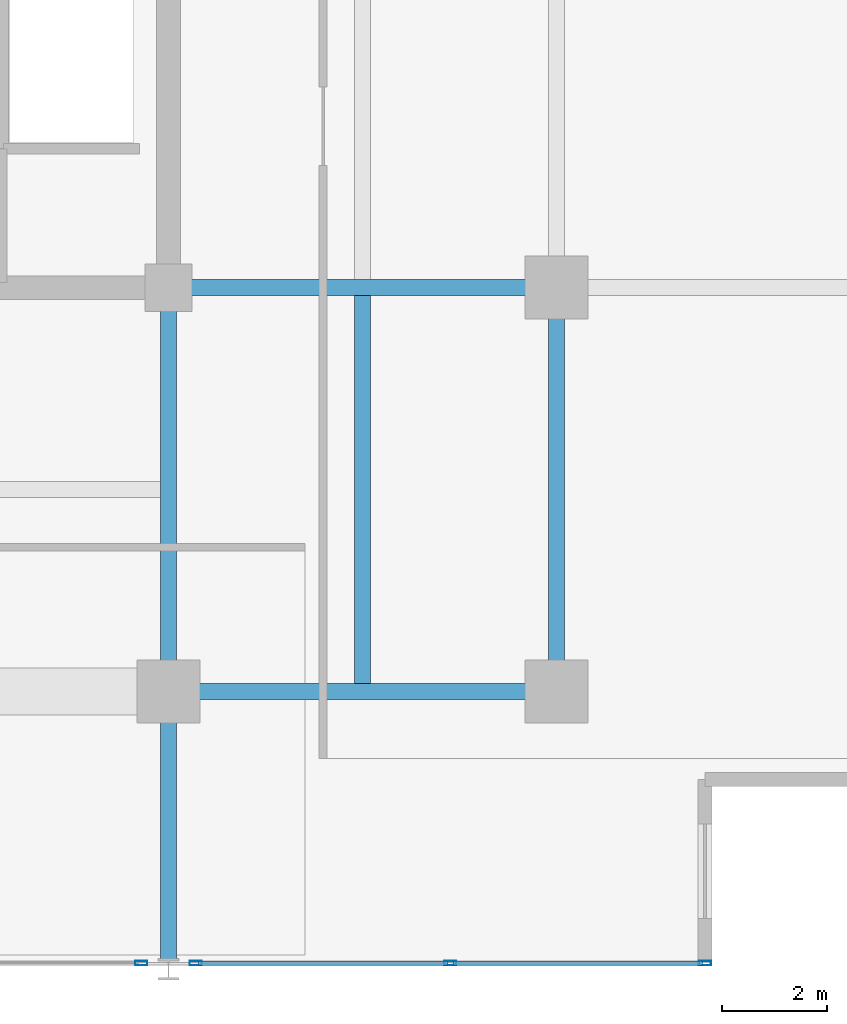
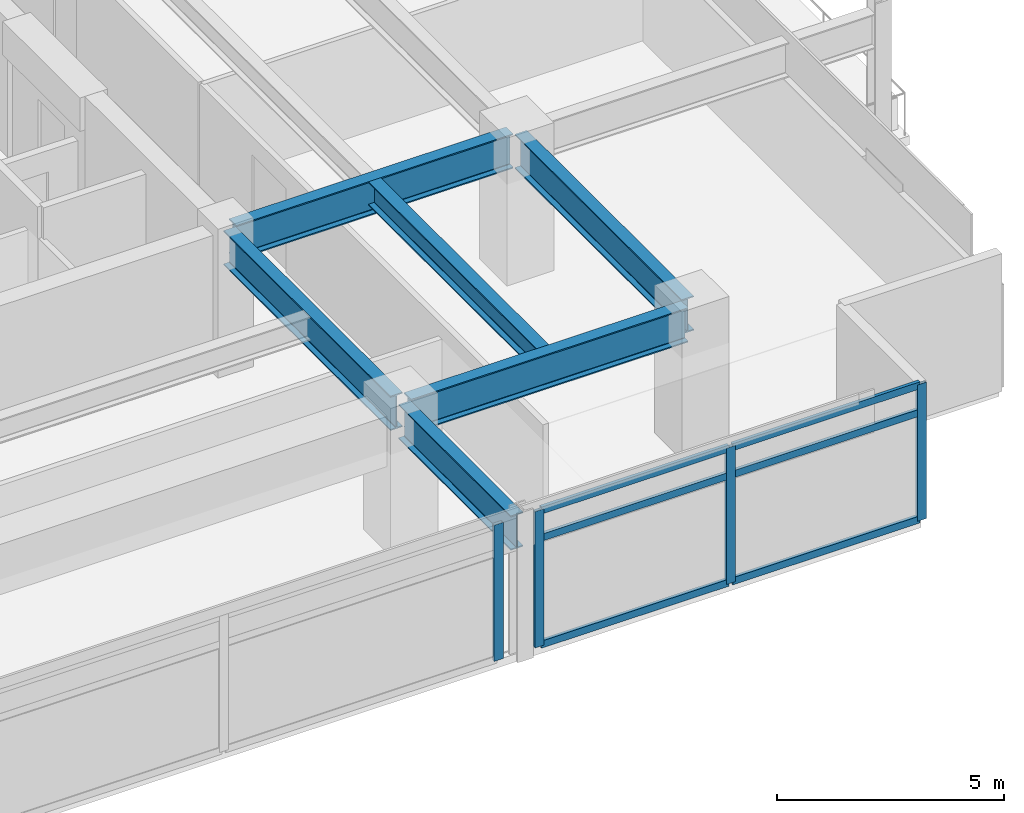
# One storey, part 9 of 20: 10 members, 6 beams, 2 elements without a shape of their own.
"""IFC4 building model written with IfcOpenShell, lengths in metres."""

from ifc_helpers import new_model, si_unit, direction, frame, origin, origin_2d, place, context, subcontext, project, spatial, hollow_rectangle, i_section, extrude, material, material_profile, profile_set, type_object, element, aggregate, save


model = new_model("IFC4")

# Units and contexts
model_context = context("Model", 3, precision=1e-05, world=origin(), true_north=direction((0.0, 1.0)))
body_context = subcontext(model_context, "Body", "Model", "MODEL_VIEW")
ifc_project = project(units=[si_unit("LENGTHUNIT", "METRE"), si_unit("AREAUNIT", "SQUARE_METRE"), si_unit("VOLUMEUNIT", "CUBIC_METRE"), si_unit("PLANEANGLEUNIT", "RADIAN"), si_unit("MASSUNIT", "GRAM", prefix="KILO")], contexts=[model_context])

# Site, building, storey
site_placement = place(None, origin())
site = spatial("IfcSite", under=ifc_project, at=site_placement, CompositionType="ELEMENT")
building_placement = place(site_placement, origin())
building = spatial("IfcBuilding", under=site, at=building_placement, Name="Kovane Verandah Tower", CompositionType="ELEMENT")
storey_placement = place(building_placement, frame((0.0, 0.0, 291.199951171875)))
storey = spatial("IfcBuildingStorey", under=building, at=storey_placement, Name="L68", CompositionType="ELEMENT", Elevation=291.199951171875)

# Beams
ifc_material_1 = material(Name="Steel S460", Category="steel")
ifc_material_profile_1 = material_profile(ifc_material_1, i_section(OverallWidth=0.311279296875, OverallDepth=0.6357421875, WebThickness=0.018310546875, FlangeThickness=0.031494140625, FilletRadius=0.0166015625, at=origin_2d()), Name="UB610x305x238")
ifc_profile_set_1 = profile_set([ifc_material_profile_1], Name="Steel S460")
beam_type_1 = type_object("IfcBeamType", Name="BM-UB610x238", PredefinedType="BEAM", material=ifc_profile_set_1)
beam_1_placement = place(storey_placement, frame((54.699951171875, 10.951904296875, 3.382080078125), z_axis=(0.0, 1.0, 0.0), x_axis=(-1.0, 0.0, 0.0)))
element("IfcBeam", 1, at=beam_1_placement, inside=storey, type_object=beam_type_1, Name="L68 Secondary Composite Joist J-SE1", PredefinedType="BEAM", context=body_context, shape_type="SweptSolid", body=[
    extrude(i_section(OverallWidth=0.311279296875, OverallDepth=0.6357421875, WebThickness=0.018310546875, FlangeThickness=0.031494140625, FilletRadius=0.0166015625, at=origin_2d()), origin(), (0.0, 0.0, 1.0), 7.396240234375),
])
ifc_material_profile_2 = material_profile(ifc_material_1, i_section(OverallWidth=0.3076171875, OverallDepth=0.926513671875, WebThickness=0.01953125, FlangeThickness=0.031982421875, FilletRadius=0.01904296875, at=origin_2d()), Name="UB914x305x289")
ifc_profile_set_2 = profile_set([ifc_material_profile_2], Name="Steel S460")
beam_type_2 = type_object("IfcBeamType", Name="BM-UB914x289", PredefinedType="BEAM", material=ifc_profile_set_2)
beam_2_placement = place(storey_placement, frame((51.179931640625, 10.800048828125, 3.23681640625), z_axis=(1.0, 0.0, 0.0), x_axis=(0.0, 1.0, 0.0)))
element("IfcBeam", 2, at=beam_2_placement, inside=storey, type_object=beam_type_2, Name="L68 Primary Tower Girder G-RS3", PredefinedType="BEAM", context=body_context, shape_type="SweptSolid", body=[
    extrude(i_section(OverallWidth=0.3076171875, OverallDepth=0.926513671875, WebThickness=0.01953125, FlangeThickness=0.031982421875, FilletRadius=0.01904296875, at=origin_2d()), origin(), (0.0, 0.0, 1.0), 7.0400390625),
])
beam_3_placement = place(storey_placement, frame((58.39990234375, 10.97998046875, 3.23681640625), z_axis=(0.0, 1.0, 0.0), x_axis=(-1.0, 0.0, 0.0)))
element("IfcBeam", 3, at=beam_3_placement, inside=storey, type_object=beam_type_2, Name="L68 Primary Tower Girder G-RE1", PredefinedType="BEAM", context=body_context, shape_type="SweptSolid", body=[
    extrude(i_section(OverallWidth=0.3076171875, OverallDepth=0.926513671875, WebThickness=0.01953125, FlangeThickness=0.031982421875, FilletRadius=0.01904296875, at=origin_2d()), origin(), (0.0, 0.0, 1.0), 7.340087890625),
])
beam_4_placement = place(storey_placement, frame((51.179931640625, 18.5, 3.23681640625), z_axis=(1.0, 0.0, 0.0), x_axis=(0.0, 1.0, 0.0)))
element("IfcBeam", 4, at=beam_4_placement, inside=storey, type_object=beam_type_2, Name="L68 Primary Tower Girder G-E1", PredefinedType="BEAM", context=body_context, shape_type="SweptSolid", body=[
    extrude(i_section(OverallWidth=0.3076171875, OverallDepth=0.926513671875, WebThickness=0.01953125, FlangeThickness=0.031982421875, FilletRadius=0.01904296875, at=origin_2d()), origin(), (0.0, 0.0, 1.0), 7.0400390625),
])
beam_5_placement = place(storey_placement, frame((51.0, 18.320068359375, 3.23681640625), z_axis=(0.0, -1.0, 0.0), x_axis=(1.0, 0.0, 0.0)))
element("IfcBeam", 5, at=beam_5_placement, inside=storey, type_object=beam_type_2, Name="L68 Primary Tower Girder G-S2", PredefinedType="BEAM", context=body_context, shape_type="SweptSolid", body=[
    extrude(i_section(OverallWidth=0.3076171875, OverallDepth=0.926513671875, WebThickness=0.01953125, FlangeThickness=0.031982421875, FilletRadius=0.01904296875, at=origin_2d()), origin(), (0.0, 0.0, 1.0), 7.340087890625),
])
beam_6_placement = place(storey_placement, frame((51.0, 10.6201171875, 3.23681640625), z_axis=(0.0, -1.0, 0.0), x_axis=(1.0, 0.0, 0.0)))
element("IfcBeam", 6, at=beam_6_placement, inside=storey, type_object=beam_type_2, Name="L68 Primary Tower Girder G-VS2", PredefinedType="BEAM", context=body_context, shape_type="SweptSolid", body=[
    extrude(i_section(OverallWidth=0.3076171875, OverallDepth=0.926513671875, WebThickness=0.01953125, FlangeThickness=0.031982421875, FilletRadius=0.01904296875, at=origin_2d()), origin(), (0.0, 0.0, 1.0), 4.940185546875),
])

# Curtain wall, member
ifc_material_2 = material(Name="Champagne Anodised Aluminium Frame with Low-E Clear Laminated Glass", Category="aluminium")
curtain_wall_type = type_object("IfcCurtainWallType", Name="CW-SYS-05-HIGH", PredefinedType="NOTDEFINED", material=ifc_material_2)
curtain_wall_1_placement = place(storey_placement, origin())
curtain_wall_1 = element("IfcCurtainWall", 7, at=curtain_wall_1_placement, inside=storey, type_object=curtain_wall_type, Name="L68 S Unitised Curtain Wall-2", PredefinedType="NOTDEFINED")
ifc_material_3 = material(Name="Champagne Anodised Aluminium 6063-T6", Category="aluminium")
ifc_material_profile_3 = material_profile(ifc_material_3, hollow_rectangle(XDim=0.0849609375, YDim=0.22998046875, WallThickness=0.00390625, at=origin_2d()), Name="AL85x230x4")
ifc_profile_set_3 = profile_set([ifc_material_profile_3], Name="Champagne Anodised Aluminium 6063-T6")
member_type_1 = type_object("IfcMemberType", Name="CW-MUL-85x230", PredefinedType="MULLION", material=ifc_profile_set_3)
member_1_placement = place(storey_placement, frame((50.47998046875, 5.619384765625, 0.02001953125), z_axis=(0.0, 0.0, 1.0), x_axis=(0.0, -1.0, 0.0)))
member_1 = element("IfcMember", 8, at=member_1_placement, type_object=member_type_1, Name="L68 S Unitised Curtain Wall-2 Mullion 4", PredefinedType="MULLION", context=body_context, shape_type="SweptSolid", body=[
    extrude(hollow_rectangle(XDim=0.0849609375, YDim=0.22998046875, WallThickness=0.00390625, at=origin_2d()), origin(), (0.0, 0.0, 1.0), 3.659912109375),
])
aggregate(curtain_wall_1, [member_1])

# Curtain wall, members
curtain_wall_2_placement = place(storey_placement, origin())
curtain_wall_2 = element("IfcCurtainWall", 9, at=curtain_wall_2_placement, inside=storey, type_object=curtain_wall_type, Name="L68 S Unitised Curtain Wall-3", PredefinedType="NOTDEFINED")
member_2_placement = place(storey_placement, frame((51.52001953125, 5.619384765625, 0.02001953125), z_axis=(0.0, 0.0, 1.0), x_axis=(0.0, -1.0, 0.0)))
member_2 = element("IfcMember", 10, at=member_2_placement, type_object=member_type_1, Name="L68 S Unitised Curtain Wall-3 Mullion 1", PredefinedType="MULLION", context=body_context, shape_type="SweptSolid", body=[
    extrude(hollow_rectangle(XDim=0.0849609375, YDim=0.22998046875, WallThickness=0.00390625, at=origin_2d()), origin(), (0.0, 0.0, 1.0), 3.659912109375),
])
member_3_placement = place(storey_placement, frame((56.375732421875, 5.619384765625, 0.02001953125), z_axis=(0.0, 0.0, 1.0), x_axis=(0.0, -1.0, 0.0)))
member_3 = element("IfcMember", 11, at=member_3_placement, type_object=member_type_1, Name="L68 S Unitised Curtain Wall-3 Mullion 2", PredefinedType="MULLION", context=body_context, shape_type="SweptSolid", body=[
    extrude(hollow_rectangle(XDim=0.0849609375, YDim=0.22998046875, WallThickness=0.00390625, at=origin_2d()), origin(), (0.0, 0.0, 1.0), 3.659912109375),
])
member_4_placement = place(storey_placement, frame((61.231689453125, 5.619384765625, 0.02001953125), z_axis=(0.0, 0.0, 1.0), x_axis=(0.0, -1.0, 0.0)))
member_4 = element("IfcMember", 12, at=member_4_placement, type_object=member_type_1, Name="L68 S Unitised Curtain Wall-3 Mullion 3", PredefinedType="MULLION", context=body_context, shape_type="SweptSolid", body=[
    extrude(hollow_rectangle(XDim=0.0849609375, YDim=0.22998046875, WallThickness=0.00390625, at=origin_2d()), origin(), (0.0, 0.0, 1.0), 3.659912109375),
])
ifc_material_profile_4 = material_profile(ifc_material_3, hollow_rectangle(XDim=0.0849609375, YDim=0.18994140625, WallThickness=0.00390625, at=origin_2d()), Name="AL85x190x4")
ifc_profile_set_4 = profile_set([ifc_material_profile_4], Name="Champagne Anodised Aluminium 6063-T6")
member_type_2 = type_object("IfcMemberType", Name="CW-TRN-85x190", PredefinedType="USERDEFINED", material=ifc_profile_set_4)
member_5_placement = place(storey_placement, frame((51.570068359375, 5.619384765625, 0.050048828125), z_axis=(1.0, 0.0, 0.0), x_axis=(0.0, 1.0, 0.0)))
member_5 = element("IfcMember", 13, at=member_5_placement, type_object=member_type_2, Name="L68 S Unitised Curtain Wall-3 Transom TB Bay 1", ObjectType="TRANSOM", PredefinedType="USERDEFINED", context=body_context, shape_type="SweptSolid", body=[
    extrude(hollow_rectangle(XDim=0.0849609375, YDim=0.18994140625, WallThickness=0.00390625, at=origin_2d()), origin(), (0.0, 0.0, 1.0), 4.755859375),
])
member_6_placement = place(storey_placement, frame((51.570068359375, 5.619384765625, 2.920166015625), z_axis=(1.0, 0.0, 0.0), x_axis=(0.0, 1.0, 0.0)))
member_6 = element("IfcMember", 14, at=member_6_placement, type_object=member_type_2, Name="L68 S Unitised Curtain Wall-3 Transom TM Bay 1", ObjectType="TRANSOM", PredefinedType="USERDEFINED", context=body_context, shape_type="SweptSolid", body=[
    extrude(hollow_rectangle(XDim=0.0849609375, YDim=0.18994140625, WallThickness=0.00390625, at=origin_2d()), origin(), (0.0, 0.0, 1.0), 4.755859375),
])
member_7_placement = place(storey_placement, frame((51.570068359375, 5.619384765625, 3.650146484375), z_axis=(1.0, 0.0, 0.0), x_axis=(0.0, 1.0, 0.0)))
member_7 = element("IfcMember", 15, at=member_7_placement, type_object=member_type_2, Name="L68 S Unitised Curtain Wall-3 Transom TT Bay 1", ObjectType="TRANSOM", PredefinedType="USERDEFINED", context=body_context, shape_type="SweptSolid", body=[
    extrude(hollow_rectangle(XDim=0.0849609375, YDim=0.18994140625, WallThickness=0.00390625, at=origin_2d()), origin(), (0.0, 0.0, 1.0), 4.755859375),
])
member_8_placement = place(storey_placement, frame((56.42578125, 5.619384765625, 0.050048828125), z_axis=(1.0, 0.0, 0.0), x_axis=(0.0, 1.0, 0.0)))
member_8 = element("IfcMember", 16, at=member_8_placement, type_object=member_type_2, Name="L68 S Unitised Curtain Wall-3 Transom TB Bay 2", ObjectType="TRANSOM", PredefinedType="USERDEFINED", context=body_context, shape_type="SweptSolid", body=[
    extrude(hollow_rectangle(XDim=0.0849609375, YDim=0.18994140625, WallThickness=0.00390625, at=origin_2d()), origin(), (0.0, 0.0, 1.0), 4.755859375),
])
member_9_placement = place(storey_placement, frame((56.42578125, 5.619384765625, 2.920166015625), z_axis=(1.0, 0.0, 0.0), x_axis=(0.0, 1.0, 0.0)))
member_9 = element("IfcMember", 17, at=member_9_placement, type_object=member_type_2, Name="L68 S Unitised Curtain Wall-3 Transom TM Bay 2", ObjectType="TRANSOM", PredefinedType="USERDEFINED", context=body_context, shape_type="SweptSolid", body=[
    extrude(hollow_rectangle(XDim=0.0849609375, YDim=0.18994140625, WallThickness=0.00390625, at=origin_2d()), origin(), (0.0, 0.0, 1.0), 4.755859375),
])
member_10_placement = place(storey_placement, frame((56.42578125, 5.619384765625, 3.650146484375), z_axis=(1.0, 0.0, 0.0), x_axis=(0.0, 1.0, 0.0)))
member_10 = element("IfcMember", 18, at=member_10_placement, type_object=member_type_2, Name="L68 S Unitised Curtain Wall-3 Transom TT Bay 2", ObjectType="TRANSOM", PredefinedType="USERDEFINED", context=body_context, shape_type="SweptSolid", body=[
    extrude(hollow_rectangle(XDim=0.0849609375, YDim=0.18994140625, WallThickness=0.00390625, at=origin_2d()), origin(), (0.0, 0.0, 1.0), 4.755859375),
])
aggregate(curtain_wall_2, [member_2, member_3, member_4, member_5, member_6, member_7, member_8, member_9, member_10])

save(model, "model.ifc")
